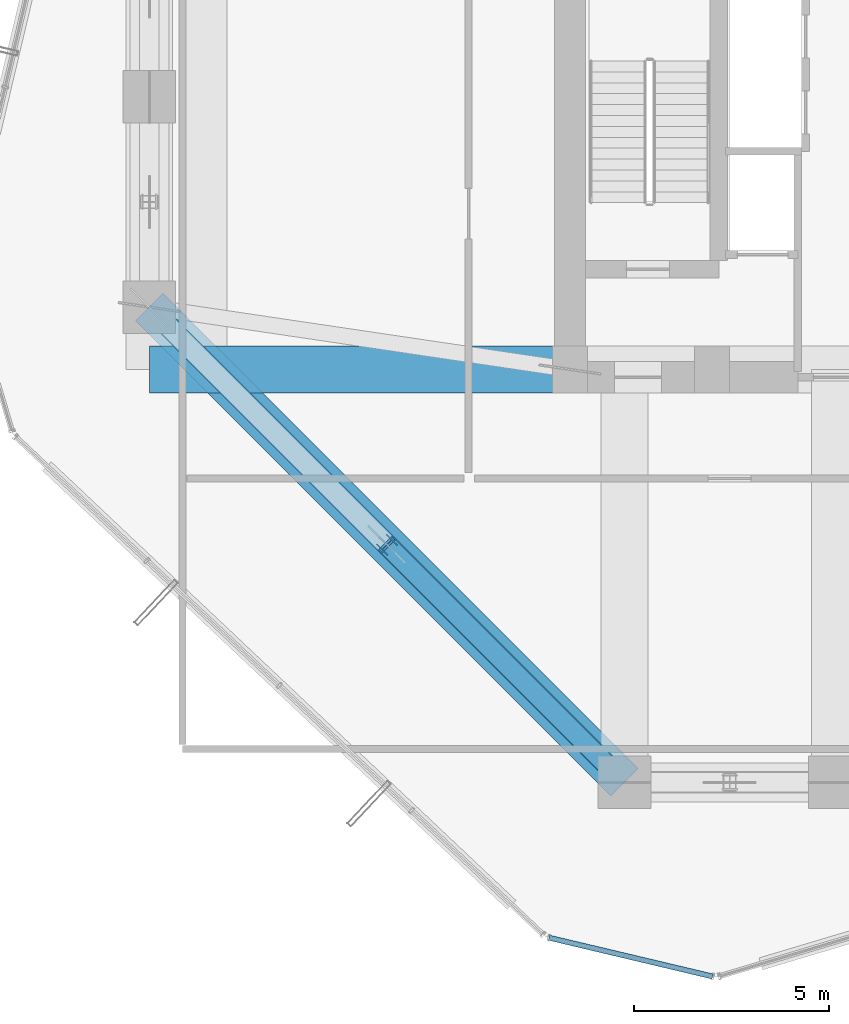
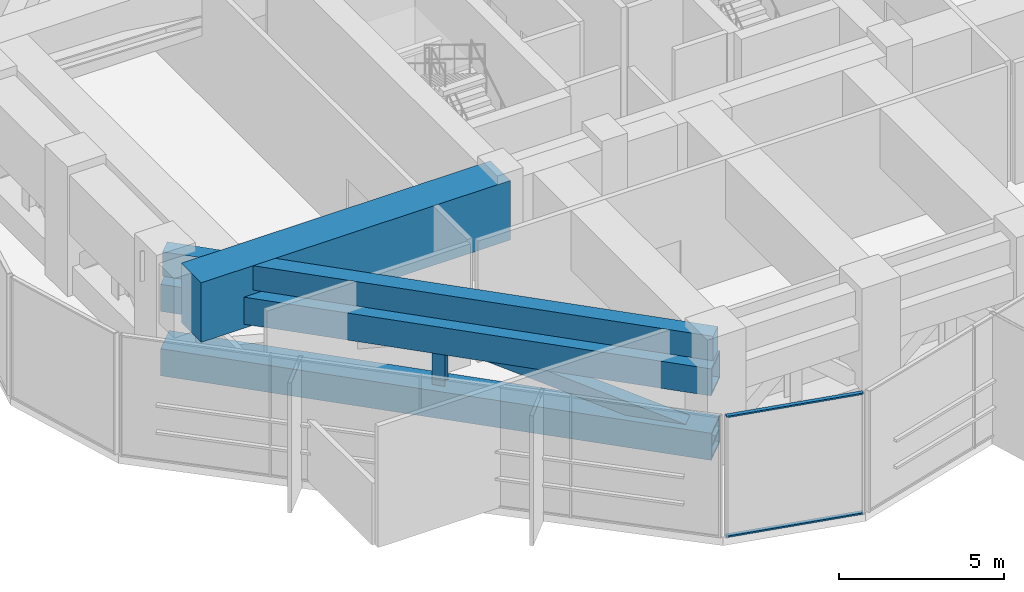
# One storey, part 5 of 41: 6 members, 2 beams, 1 element without a shape of its own.
"""IFC4 building model written with IfcOpenShell, lengths in metres."""

import ifcopenshell
import ifcopenshell.guid

model = None  # the IFC model being written
_history = None  # IfcOwnerHistory: only IFC2X3 demands one
_inside = {}  # id of a spatial element -> (the spatial element, [elements in it])
_under = {}  # id of a project, library or spatial element -> (it, [spatial elements below it])
_declared = {}  # id of a project -> (the project, [libraries it declares])
_typed = {}  # id of a type object -> (the type object, [elements of that type])
_made_of = {}  # id of a material, layer set ... -> (it, [elements and type objects made of it])


def new_model(schema):
    """Start an empty IFC model of exactly this schema.

    Asked for "IFC4X3", IfcOpenShell would pick the latest addendum, in which some entities
    have other attributes; the version numbers below select the first issue.
    IFC2X3 requires an IfcOwnerHistory on every rooted entity: one is made here for all.
    """
    global model, _history
    if schema == "IFC4X3":
        model = ifcopenshell.file(schema_version=(4, 3, 0, 0))
    else:
        model = ifcopenshell.file(schema=schema)
    _inside.clear()
    _under.clear()
    _declared.clear()
    _typed.clear()
    _made_of.clear()
    _history = None
    if model.schema == "IFC2X3":
        org = make("IfcOrganization", Name="unknown")
        user = make(
            "IfcPersonAndOrganization",
            ThePerson=make("IfcPerson", FamilyName="unknown"),
            TheOrganization=org,
        )
        app = make(
            "IfcApplication",
            ApplicationDeveloper=org,
            Version="unknown",
            ApplicationFullName="unknown",
            ApplicationIdentifier="unknown",
        )
        _history = make(
            "IfcOwnerHistory",
            OwningUser=user,
            OwningApplication=app,
            ChangeAction="ADDED",
            CreationDate=0,
        )
    return model


def make(cls, **values):
    """One entity of the class cls with the attributes given. An attribute that is None is left unset."""
    return model.create_entity(
        cls, **{name: value for name, value in values.items() if value is not None}
    )


def rooted(cls, **values):
    """An entity with a GlobalId (a new one), such as an element, a storey or a relation."""
    return make(cls, GlobalId=ifcopenshell.guid.new(), OwnerHistory=_history, **values)


def si_unit(unit_type, name, prefix=None):
    """IfcSIUnit, for example si_unit("LENGTHUNIT", "METRE", prefix="MILLI")."""
    return make("IfcSIUnit", UnitType=unit_type, Prefix=prefix, Name=name)


def assignment(units):
    """IfcUnitAssignment: the units of a project."""
    return None if units is None else make("IfcUnitAssignment", Units=units)


def point(xyz):
    """IfcCartesianPoint."""
    return None if xyz is None else make("IfcCartesianPoint", Coordinates=xyz)


def direction(xyz):
    """IfcDirection."""
    return None if xyz is None else make("IfcDirection", DirectionRatios=xyz)


def frame(location, z_axis=None, x_axis=None):
    """IfcAxis2Placement3D, a coordinate frame: its origin and axes. An axis left out is left unset."""
    return make(
        "IfcAxis2Placement3D",
        Location=point(location),
        Axis=direction(z_axis),
        RefDirection=direction(x_axis),
    )


def frame_2d(location, x_axis=None):
    """IfcAxis2Placement2D, a coordinate frame in the plane: its origin and x axis."""
    return make(
        "IfcAxis2Placement2D", Location=point(location), RefDirection=direction(x_axis)
    )


def origin():
    """The frame at (0, 0, 0) with its axes left unset."""
    return frame((0.0, 0.0, 0.0))


def origin_2d():
    """The frame at (0, 0) in the plane with its x axis left unset."""
    return frame_2d((0.0, 0.0))


def place(relative_to, where):
    """IfcLocalPlacement: puts the frame where relative to a parent placement (None: the world)."""
    return make(
        "IfcLocalPlacement", PlacementRelTo=relative_to, RelativePlacement=where
    )


def context(
    kind, dimensions, precision=None, world=None, true_north=None, identifier=None
):
    """IfcGeometricRepresentationContext, for example the 3D "Model" context."""
    return make(
        "IfcGeometricRepresentationContext",
        ContextIdentifier=identifier,
        ContextType=kind,
        CoordinateSpaceDimension=dimensions,
        Precision=precision,
        WorldCoordinateSystem=world,
        TrueNorth=true_north,
    )


def subcontext(parent, identifier, kind, view, scale=None):
    """IfcGeometricRepresentationSubContext, for example "Body" below "Model"."""
    return make(
        "IfcGeometricRepresentationSubContext",
        ContextIdentifier=identifier,
        ContextType=kind,
        ParentContext=parent,
        TargetScale=scale,
        TargetView=view,
    )


def project(units=None, contexts=None):
    """IfcProject with its units and contexts."""
    return rooted(
        "IfcProject",
        Name="project",
        RepresentationContexts=contexts,
        UnitsInContext=assignment(units),
    )


def spatial(cls, under=None, at=None, **own):
    """A site, building, storey or space (cls), placed at a placement, below another one or the project."""
    s = rooted(cls, ObjectPlacement=at, **own)
    if under is not None:
        _under.setdefault(under.id(), (under, []))[1].append(s)
    return s


def profile(cls, at=None, kind="AREA", **sizes):
    """A parametric profile (cls). Its sizes go by their IFC names, for example OverallWidth=200.0."""
    return make(cls, ProfileType=kind, Position=at, **sizes)


def rectangle(**sizes):
    """IfcRectangleProfileDef."""
    return profile("IfcRectangleProfileDef", **sizes)


def hollow_rectangle(**sizes):
    """IfcRectangleHollowProfileDef."""
    return profile("IfcRectangleHollowProfileDef", **sizes)


def i_section(**sizes):
    """IfcIShapeProfileDef."""
    return profile("IfcIShapeProfileDef", **sizes)


def extrude(swept, where, along, depth):
    """IfcExtrudedAreaSolid: the profile swept, set in the frame where, extruded along a direction by depth."""
    return make(
        "IfcExtrudedAreaSolid",
        SweptArea=swept,
        Position=where,
        ExtrudedDirection=direction(along),
        Depth=depth,
    )


def shape(context_of_items, identifier, shape_type, items):
    """IfcShapeRepresentation: the items that make up one representation, for example the "Body"."""
    return make(
        "IfcShapeRepresentation",
        ContextOfItems=context_of_items,
        RepresentationIdentifier=identifier,
        RepresentationType=shape_type,
        Items=items,
    )


def source(mapping_origin, context_of_items, identifier, shape_type, items):
    """IfcRepresentationMap: a shape defined once, which mapped items show again and again."""
    return make(
        "IfcRepresentationMap",
        MappingOrigin=mapping_origin,
        MappedRepresentation=shape(context_of_items, identifier, shape_type, items),
    )


def transform(
    local_origin,
    x_axis=None,
    y_axis=None,
    z_axis=None,
    scale=None,
    scale2=None,
    scale3=None,
    uniform=True,
):
    """IfcCartesianTransformationOperator3D, or its non-uniform kind. x_axis, y_axis, z_axis: its Axis1, 2, 3."""
    if uniform:
        return make(
            "IfcCartesianTransformationOperator3D",
            Axis1=direction(x_axis),
            Axis2=direction(y_axis),
            LocalOrigin=point(local_origin),
            Scale=scale,
            Axis3=direction(z_axis),
        )
    return make(
        "IfcCartesianTransformationOperator3DnonUniform",
        Axis1=direction(x_axis),
        Axis2=direction(y_axis),
        LocalOrigin=point(local_origin),
        Scale=scale,
        Axis3=direction(z_axis),
        Scale2=scale2,
        Scale3=scale3,
    )


def mapped(mapping_source, mapping_target):
    """IfcMappedItem: shows the shape of a source again, moved by a transform."""
    return make(
        "IfcMappedItem", MappingSource=mapping_source, MappingTarget=mapping_target
    )


def material(Name=None, Category=None):
    """IfcMaterial."""
    return make("IfcMaterial", Name=Name, Category=Category)


def layer(
    of_material, thickness, ventilated=None, Name=None, Category=None, Priority=None
):
    """IfcMaterialLayer: one layer of a wall or slab, of a material (None: an air gap)."""
    return make(
        "IfcMaterialLayer",
        Material=of_material,
        LayerThickness=thickness,
        IsVentilated=ventilated,
        Name=Name,
        Category=Category,
        Priority=Priority,
    )


def layer_set(layers, Name=None):
    """IfcMaterialLayerSet."""
    return make("IfcMaterialLayerSet", MaterialLayers=layers, LayerSetName=Name)


def material_profile(
    of_material, cross_section, Name=None, Category=None, Priority=None
):
    """IfcMaterialProfile: a cross section and its material."""
    return make(
        "IfcMaterialProfile",
        Name=Name,
        Material=of_material,
        Profile=cross_section,
        Priority=Priority,
        Category=Category,
    )


def profile_set(profiles, Name=None, composite=None):
    """IfcMaterialProfileSet."""
    return make(
        "IfcMaterialProfileSet",
        Name=Name,
        MaterialProfiles=profiles,
        CompositeProfile=composite,
    )


def made_of(thing, what):
    """Note that an element or type object is made of a material, layer set ...; save() writes the relation."""
    if what is not None:
        _made_of.setdefault(what.id(), (what, []))[1].append(thing)
    return thing


def type_object(cls, material=None, **own):
    """A type object (cls), such as IfcWallType, which elements share."""
    return made_of(rooted(cls, **own), material)


def element(
    cls,
    number,
    at=None,
    inside=None,
    cuts=None,
    type_object=None,
    material=None,
    context=None,
    identifier="Body",
    shape_type=None,
    held_by="IfcProductDefinitionShape",
    body=None,
    shapes=None,
    **own,
):
    """One element of the class cls, such as IfcWall. Its Tag is "e" and its number.

    at: its placement. inside: the storey or other place that contains it. cuts: it is an
    opening in that element (IfcRelVoidsElement). A single representation is given by context,
    identifier, shape_type and body (its items); several are given by shapes. held_by: the class
    of the entity that holds the representations. save() writes the other relations.
    """
    e = rooted(cls, Tag="e%d" % number, ObjectPlacement=at, **own)
    if body is not None:
        shapes = [shape(context, identifier, shape_type, body)]
    if shapes is not None:
        e.Representation = make(held_by, Representations=shapes)
    if inside is not None:
        _inside.setdefault(inside.id(), (inside, []))[1].append(e)
    if cuts is not None:
        rooted(
            "IfcRelVoidsElement", RelatingBuildingElement=cuts, RelatedOpeningElement=e
        )
    if type_object is not None:
        _typed.setdefault(type_object.id(), (type_object, []))[1].append(e)
    return made_of(e, material)


def aggregate(whole, parts):
    """IfcRelAggregates: a whole, such as a stair, and the parts it consists of."""
    return rooted("IfcRelAggregates", RelatingObject=whole, RelatedObjects=parts)


def save(model, path):
    """Write the relations noted so far, then the file.

    IfcRelAggregates (storeys below a building ...), IfcRelContainedInSpatialStructure (elements
    in a storey), IfcRelDefinesByType, IfcRelAssociatesMaterial and IfcRelDeclares: one each for
    every whole, place, type object, material and project.
    """
    for whole, parts in _under.values():
        aggregate(whole, parts)
    for where, things in _inside.values():
        rooted(
            "IfcRelContainedInSpatialStructure",
            RelatedElements=things,
            RelatingStructure=where,
        )
    for kind, things in _typed.values():
        rooted("IfcRelDefinesByType", RelatedObjects=things, RelatingType=kind)
    for what, things in _made_of.values():
        rooted("IfcRelAssociatesMaterial", RelatedObjects=things, RelatingMaterial=what)
    for by, libraries in _declared.values():
        rooted("IfcRelDeclares", RelatingContext=by, RelatedDefinitions=libraries)
    model.write(path)


model = new_model("IFC4")

# Units and contexts
model_context = context("Model", 3, precision=1e-05, world=origin(), true_north=direction((0.0, 1.0)))
body_context = subcontext(model_context, "Body", "Model", "MODEL_VIEW")
ifc_project = project(units=[si_unit("LENGTHUNIT", "METRE"), si_unit("AREAUNIT", "SQUARE_METRE"), si_unit("VOLUMEUNIT", "CUBIC_METRE"), si_unit("PLANEANGLEUNIT", "RADIAN"), si_unit("MASSUNIT", "GRAM", prefix="KILO")], contexts=[model_context])

# Site, building, storey
site_placement = place(None, origin())
site = spatial("IfcSite", under=ifc_project, at=site_placement, CompositionType="ELEMENT")
building_placement = place(site_placement, origin())
building = spatial("IfcBuilding", under=site, at=building_placement, Name="Veraguas Prism Commons", CompositionType="ELEMENT")
storey_placement = place(building_placement, frame((0.0, 0.0, 80.35009765625)))
storey = spatial("IfcBuildingStorey", under=building, at=storey_placement, Name="L22", CompositionType="ELEMENT", Elevation=80.35009765625)

# Members
ifc_material_1 = material(Name="Steel ASTM A913 Grade 65", Category="steel")
ifc_material_profile_1 = material_profile(ifc_material_1, hollow_rectangle(XDim=1.0, YDim=1.0, WallThickness=0.070068359375, at=origin_2d()), Name="BOX1000X1000X70")
ifc_profile_set_1 = profile_set([ifc_material_profile_1], Name="Steel ASTM A913 Grade 65")
member_type_1 = type_object("IfcMemberType", Name="Belt Truss Chord L22 Box 1000x1000x70", PredefinedType="CHORD", material=ifc_profile_set_1)
for number, where, z_axis, x_axis, name in (
    (1, (6.39990234375, 18.60009765625, 0.5498046875), (0.707106781187, -0.707106781187, 0.0), (0.707106781187, 0.707106781187, 0.0), "Perimeter Belt Truss Chord Bottom L22-09"),
    (2, (6.39990234375, 18.60009765625, 2.929931640625), (0.707106781187, -0.707106781187, 0.0), (0.707106781187, 0.707106781187, 0.0), "Perimeter Belt Truss Chord Top L22-09"),
):
    element("IfcMember", number, at=place(storey_placement, frame(where, z_axis=z_axis, x_axis=x_axis)), inside=storey, type_object=member_type_1, Name=name, PredefinedType="CHORD", context=body_context, shape_type="SweptSolid", body=[
        extrude(hollow_rectangle(XDim=1.0, YDim=1.0, WallThickness=0.070068359375, at=origin_2d()), origin(), (0.0, 0.0, 1.0), 17.253662109375),
    ])
ifc_material_2 = material(Name="Steel ASTM A992 Grade 50", Category="steel")
ifc_material_profile_2 = material_profile(ifc_material_2, i_section(OverallWidth=0.39794921875, OverallDepth=0.386962890625, WebThickness=0.01904296875, FlangeThickness=0.0302734375, at=origin_2d()), Name="W360X262")
ifc_profile_set_2 = profile_set([ifc_material_profile_2], Name="Steel ASTM A992 Grade 50")
member_type_2 = type_object("IfcMemberType", Name="Belt Truss Vertical Strut W360x262", PredefinedType="STRUT", material=ifc_profile_set_2)
member_1_placement = place(storey_placement, frame((12.5, 12.5, 0.5498046875), z_axis=(0.0, 0.0, 1.0), x_axis=(0.707106781187, -0.707106781187, 0.0)))
element("IfcMember", 3, at=member_1_placement, inside=storey, type_object=member_type_2, Name="Perimeter Belt Truss Strut L22-09", PredefinedType="STRUT", context=body_context, shape_type="SweptSolid", body=[
    extrude(i_section(OverallWidth=0.39794921875, OverallDepth=0.386962890625, WebThickness=0.01904296875, FlangeThickness=0.0302734375, at=origin_2d()), origin(), (0.0, 0.0, 1.0), 2.380126953125),
])
ifc_material_3 = material(Name="Steel ASTM A572 Grade 50", Category="steel")
ifc_material_profile_3 = material_profile(ifc_material_3, hollow_rectangle(XDim=0.5, YDim=0.5, WallThickness=0.02490234375, at=origin_2d()), Name="BOX500X500X25")
ifc_profile_set_3 = profile_set([ifc_material_profile_3], Name="Steel ASTM A572 Grade 50")
member_type_3 = type_object("IfcMemberType", Name="Perimeter Belt Diagonal BOX 500x500x25", PredefinedType="BRACE", material=ifc_profile_set_3)
member_2_placement = place(storey_placement, frame((18.60009765625, 6.39990234375, 0.5498046875), z_axis=(-0.681639462261, 0.681639462261, 0.265961062898), x_axis=(-0.707106781187, -0.707106781187, 0.0)))
element("IfcMember", 4, at=member_2_placement, inside=storey, type_object=member_type_3, Name="Perimeter Belt Truss Brace L22-09B", PredefinedType="BRACE", context=body_context, shape_type="SweptSolid", body=[
    extrude(hollow_rectangle(XDim=0.5, YDim=0.5, WallThickness=0.02490234375, at=origin_2d()), origin(), (0.0, 0.0, 1.0), 8.94921875),
])

# Beams
ifc_material_4 = material(Name="Concrete C50/60", Category="concrete")
ifc_material_profile_4 = material_profile(ifc_material_4, rectangle(XDim=0.550048828125, YDim=0.89990234375, at=origin_2d()), Name="RC550X900")
ifc_profile_set_4 = profile_set([ifc_material_profile_4], Name="Concrete C50/60")
beam_type_1 = type_object("IfcBeamType", Name="Perimeter Spandrel Lower RC 550x900", PredefinedType="SPANDREL", material=ifc_profile_set_4)
beam_1_placement = place(storey_placement, frame((6.39990234375, 18.60009765625, 4.02978515625), z_axis=(0.707106781187, -0.707106781187, 0.0), x_axis=(0.707106781187, 0.707106781187, 0.0)))
element("IfcBeam", 5, at=beam_1_placement, inside=storey, type_object=beam_type_1, Name="Perimeter Spandrel Beam L22-SP09", PredefinedType="SPANDREL", context=body_context, shape_type="SweptSolid", body=[
    extrude(rectangle(XDim=0.550048828125, YDim=0.89990234375, at=origin_2d()), origin(), (0.0, 0.0, 1.0), 17.253662109375),
])
ifc_material_profile_5 = material_profile(ifc_material_4, rectangle(XDim=1.199951171875, YDim=2.199951171875, at=origin_2d()), Name="RC1200X2200")
ifc_profile_set_5 = profile_set([ifc_material_profile_5], Name="Concrete C50/60")
beam_type_2 = type_object("IfcBeamType", Name="Podium Transfer Girder RC 1200x2200", PredefinedType="BEAM", material=ifc_profile_set_5)
beam_2_placement = place(storey_placement, frame((6.39990234375, 17.0, 3.3798828125), z_axis=(1.0, 0.0, 0.0), x_axis=(0.0, 1.0, 0.0)))
element("IfcBeam", 6, at=beam_2_placement, inside=storey, type_object=beam_type_2, Name="Outrigger Transfer Girder L22-XSW", PredefinedType="BEAM", context=body_context, shape_type="SweptSolid", body=[
    extrude(rectangle(XDim=1.199951171875, YDim=2.199951171875, at=origin_2d()), origin(), (0.0, 0.0, 1.0), 10.800048828125),
])

# Curtain wall, members
ifc_material_5 = material(Name="Anodised aluminium EN AW-6063 T6", Category="aluminium")
ifc_layer = layer(ifc_material_5, 0.169921875, Name="Unitised Flush Curtain Wall Zone 1", Category="aluminium")
ifc_layer_set = layer_set([ifc_layer], Name="Anodised aluminium EN AW-6063 T6")
curtain_wall_type = type_object("IfcCurtainWallType", Name="Unitised Flush Curtain Wall Zone 1", PredefinedType="NOTDEFINED", material=ifc_layer_set)
curtain_wall_placement = place(storey_placement, origin())
curtain_wall = element("IfcCurtainWall", 7, at=curtain_wall_placement, inside=storey, type_object=curtain_wall_type, Name="Chamfer Curtain Wall L22-C5", PredefinedType="NOTDEFINED")
ifc_material_profile_6 = material_profile(ifc_material_5, hollow_rectangle(XDim=0.054931640625, YDim=0.135009765625, WallThickness=0.0029296875, at=origin_2d()), Name="AL55X135X3")
ifc_profile_set_6 = profile_set([ifc_material_profile_6], Name="Anodised aluminium EN AW-6063 T6")
member_type_4 = type_object("IfcMemberType", Name="Curtain Wall Transom Standard AL 55x135x3", PredefinedType="USERDEFINED", material=ifc_profile_set_6)
shared_shape = source(origin(), body_context, "Body", "SweptSolid", [
    extrude(hollow_rectangle(XDim=0.054931640625, YDim=0.135009765625, WallThickness=0.0029296875, at=origin_2d()), origin(), (0.0, 0.0, 1.0), 4.320068359375),
])
member_3_placement = place(storey_placement, frame((16.660400390625, 2.409912109375, 0.02734375), z_axis=(0.973016215836, -0.230736741158, 0.0), x_axis=(0.0, 0.0, 1.0)))
member_3 = element("IfcMember", 8, at=member_3_placement, type_object=member_type_4, Name="CW-Z1 Transom 1", ObjectType="TRANSOM", PredefinedType="USERDEFINED", context=body_context, shape_type="MappedRepresentation", body=[
    mapped(shared_shape, transform((0.0, 0.0, 0.0), scale=1.0)),
])
member_4_placement = place(storey_placement, frame((16.660400390625, 2.409912109375, 4.452392578125), z_axis=(0.973016215836, -0.230736741158, 0.0), x_axis=(0.0, 0.0, 1.0)))
member_4 = element("IfcMember", 9, at=member_4_placement, type_object=member_type_4, Name="CW-Z1 Transom 2", ObjectType="TRANSOM", PredefinedType="USERDEFINED", context=body_context, shape_type="MappedRepresentation", body=[
    mapped(shared_shape, transform((0.0, 0.0, 0.0), scale=1.0)),
])
aggregate(curtain_wall, [member_3, member_4])

save(model, "model.ifc")
